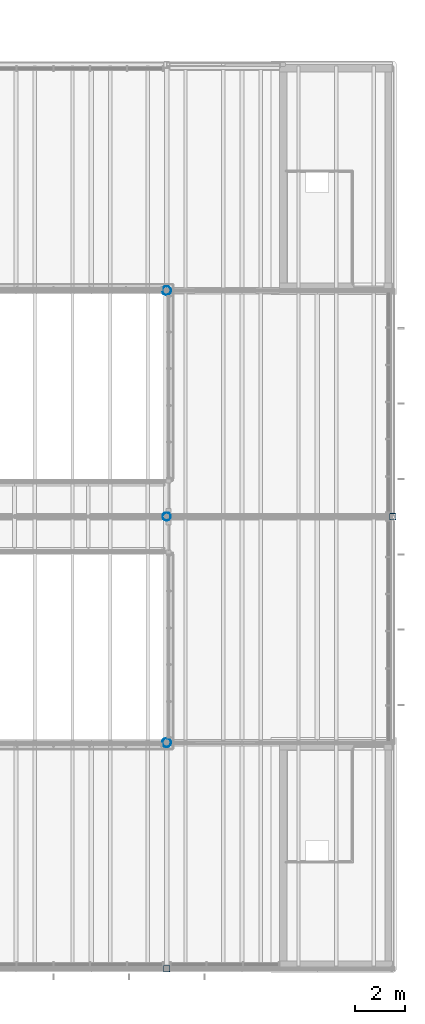
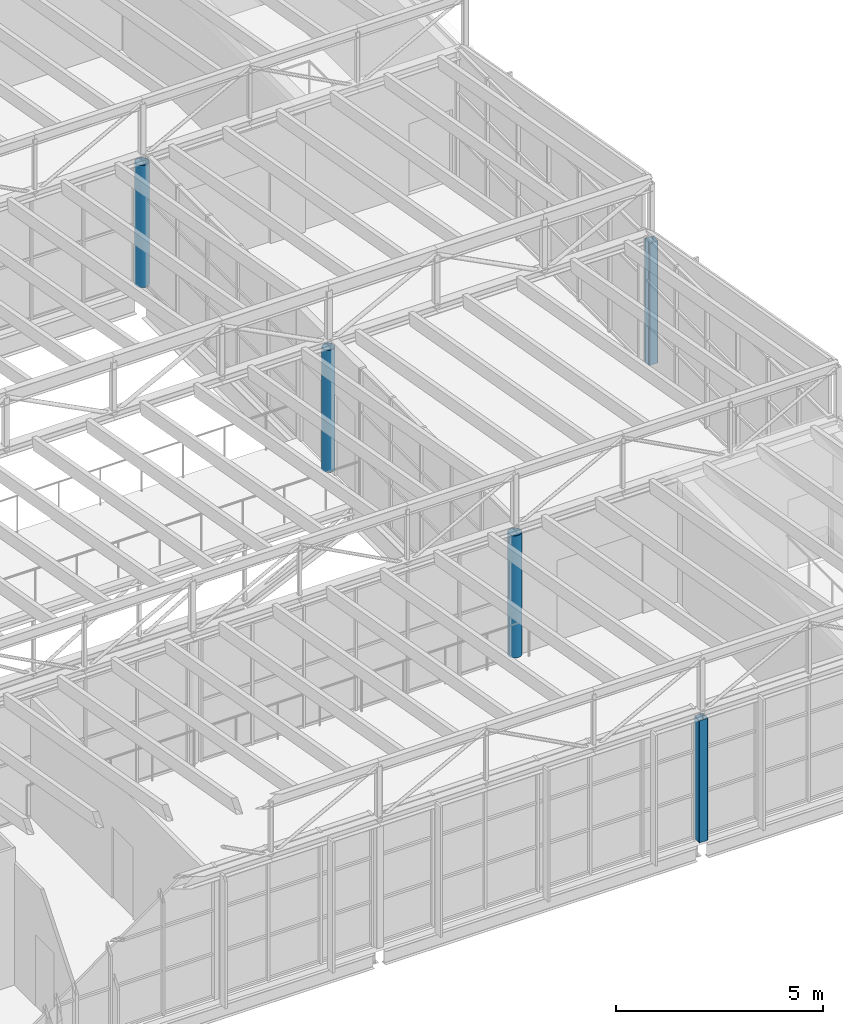
# One storey, part 3 of 44: 5 columns.
"""IFC4 building model written with IfcOpenShell, lengths in metres."""

from ifc_helpers import new_model, si_unit, direction, frame, origin, origin_2d, place, context, subcontext, project, spatial, hollow_rectangle, hollow_circle, extrude, material, material_profile, profile_set, type_object, element, save


model = new_model("IFC4")

# Units and contexts
model_context = context("Model", 3, precision=1e-05, world=origin(), true_north=direction((0.0, 1.0)))
body_context = subcontext(model_context, "Body", "Model", "MODEL_VIEW")
ifc_project = project(units=[si_unit("LENGTHUNIT", "METRE"), si_unit("AREAUNIT", "SQUARE_METRE"), si_unit("VOLUMEUNIT", "CUBIC_METRE"), si_unit("PLANEANGLEUNIT", "RADIAN"), si_unit("MASSUNIT", "GRAM", prefix="KILO")], contexts=[model_context])

# Site, building, storey
site_placement = place(None, origin())
site = spatial("IfcSite", under=ifc_project, at=site_placement, CompositionType="ELEMENT")
building_placement = place(site_placement, origin())
building = spatial("IfcBuilding", under=site, at=building_placement, Name="Halyard Row Museum", CompositionType="ELEMENT")
storey_placement = place(building_placement, frame((0.0, 0.0, 21.199951171875)))
storey = spatial("IfcBuildingStorey", under=building, at=storey_placement, Name="L04", CompositionType="ELEMENT", Elevation=21.199951171875)

# Columns
ifc_material_1 = material(Name="Steel Grade C350L0", Category="steel")
ifc_material_profile_1 = material_profile(ifc_material_1, hollow_rectangle(XDim=0.25, YDim=0.25, WallThickness=0.010009765625, InnerFilletRadius=0.014892578125, OuterFilletRadius=0.02490234375, at=origin_2d()), Name="250x250x10.0SHS")
ifc_profile_set_1 = profile_set([ifc_material_profile_1], Name="Steel Grade C350L0")
column_type_1 = type_object("IfcColumnType", Name="Column 250x250x10.0SHS edge", PredefinedType="COLUMN", material=ifc_profile_set_1)
for number, where, z_axis, x_axis, name in (
    (1, (99.0, 0.0, 0.0), (0.0, 0.0, 1.0), (1.0, 0.0, 0.0), "Column 12A L04"),
    (2, (108.0, 18.0, 0.0), (0.0, 0.0, 1.0), (1.0, 0.0, 0.0), "Column 13C L04"),
):
    element("IfcColumn", number, at=place(storey_placement, frame(where, z_axis=z_axis, x_axis=x_axis)), inside=storey, type_object=column_type_1, Name=name, PredefinedType="COLUMN", context=body_context, shape_type="SweptSolid", body=[
        extrude(hollow_rectangle(XDim=0.25, YDim=0.25, WallThickness=0.010009765625, InnerFilletRadius=0.014892578125, OuterFilletRadius=0.02490234375, at=origin_2d()), origin(), (0.0, 0.0, 1.0), 3.60009765625),
    ])
ifc_material_2 = material(Name="Steel Grade C350L0", Category="steel")
ifc_material_profile_2 = material_profile(ifc_material_2, hollow_circle(Radius=0.161865234375, WallThickness=0.009521484375, at=origin_2d()), Name="323.9x9.5CHS")
ifc_profile_set_2 = profile_set([ifc_material_profile_2], Name="Steel Grade C350L0")
column_type_2 = type_object("IfcColumnType", Name="Column 323.9x9.5CHS atrium", PredefinedType="COLUMN", material=ifc_profile_set_2)
column_placement = place(storey_placement, frame((99.0, 18.0, 0.0), z_axis=(0.0, 0.0, 1.0), x_axis=(1.0, 0.0, 0.0)))
element("IfcColumn", 3, at=column_placement, inside=storey, type_object=column_type_2, Name="Column 12C L04", PredefinedType="COLUMN", context=body_context, shape_type="SweptSolid", body=[
    extrude(hollow_circle(Radius=0.161865234375, WallThickness=0.009521484375, at=origin_2d()), origin(), (0.0, 0.0, 1.0), 3.60009765625),
])
ifc_material_3 = material(Name="Steel Grade C350L0", Category="steel")
ifc_material_profile_3 = material_profile(ifc_material_3, hollow_circle(Radius=0.177734375, WallThickness=0.0126953125, at=origin_2d()), Name="355.6x12.7CHS")
ifc_profile_set_3 = profile_set([ifc_material_profile_3], Name="Steel Grade C350L0")
column_type_3 = type_object("IfcColumnType", Name="Column 355.6x12.7CHS atrium", PredefinedType="COLUMN", material=ifc_profile_set_3)
for number, where, z_axis, x_axis, name in (
    (4, (99.0, 9.0, 0.0), (0.0, 0.0, 1.0), (1.0, 0.0, 0.0), "Column 12B L04"),
    (5, (99.0, 27.0, 0.0), (0.0, 0.0, 1.0), (1.0, 0.0, 0.0), "Column 12D L04"),
):
    element("IfcColumn", number, at=place(storey_placement, frame(where, z_axis=z_axis, x_axis=x_axis)), inside=storey, type_object=column_type_3, Name=name, PredefinedType="COLUMN", context=body_context, shape_type="SweptSolid", body=[
        extrude(hollow_circle(Radius=0.177734375, WallThickness=0.0126953125, at=origin_2d()), origin(), (0.0, 0.0, 1.0), 3.60009765625),
    ])

save(model, "model.ifc")
